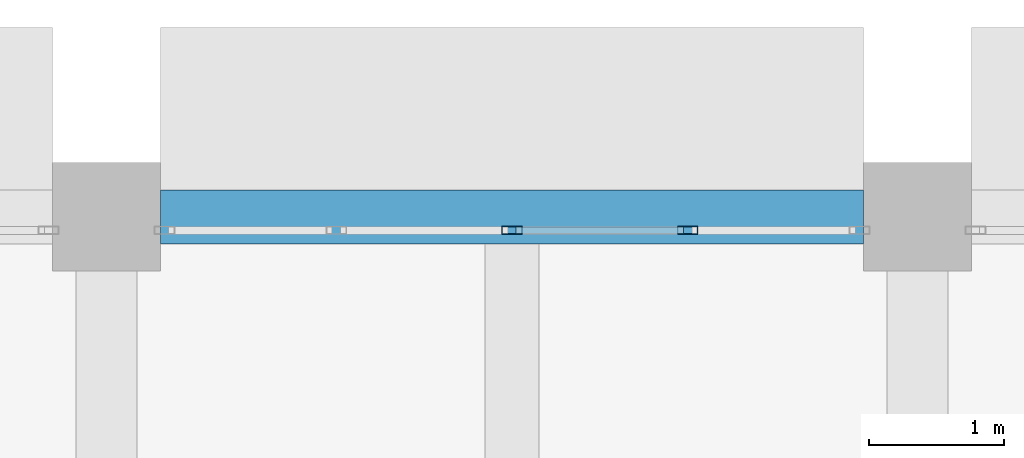
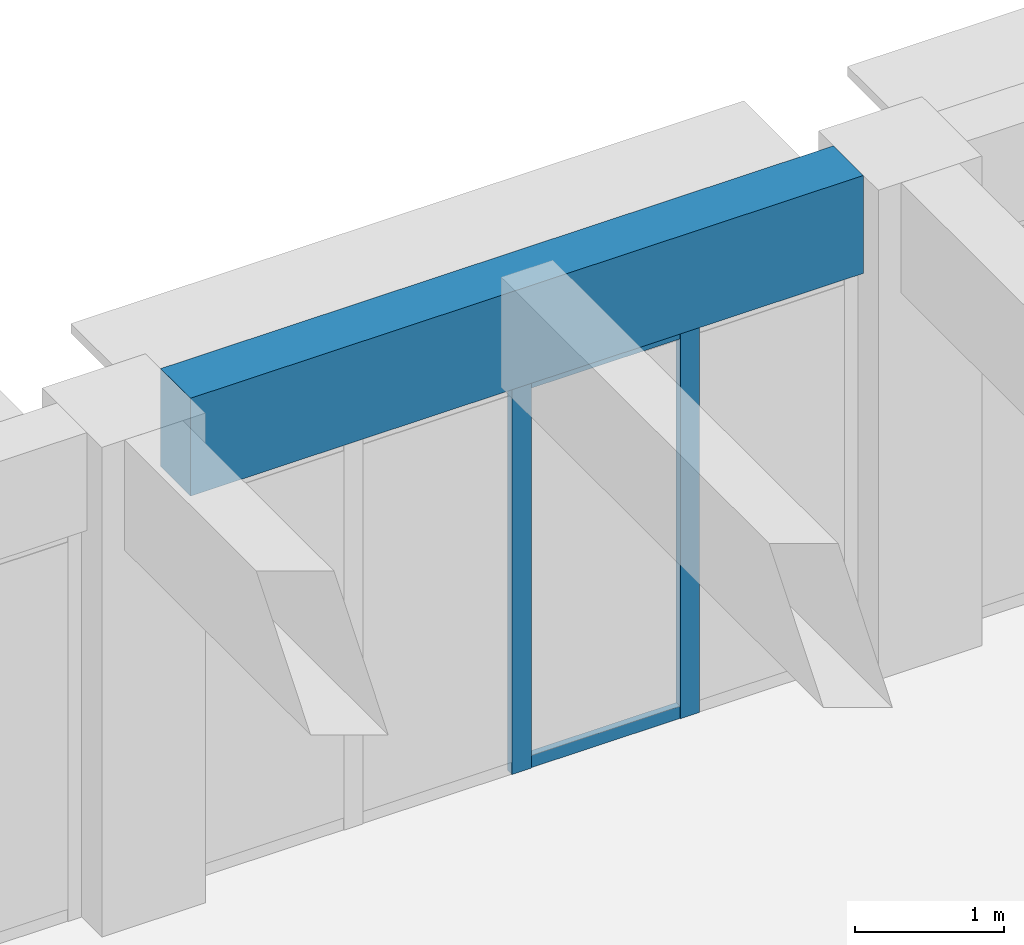
# One storey, part 28 of 101: 4 members, 1 beam, 1 element without a shape of its own.
"""IFC4 building model written with IfcOpenShell, lengths in metres."""

from ifc_helpers import new_model, si_unit, direction, frame, origin, origin_2d, place, context, subcontext, project, spatial, rectangle, hollow_rectangle, extrude, material, material_profile, profile_set, type_object, element, aggregate, save


model = new_model("IFC4")

# Units and contexts
model_context = context("Model", 3, precision=1e-05, world=origin(), true_north=direction((0.0, 1.0)))
body_context = subcontext(model_context, "Body", "Model", "MODEL_VIEW")
ifc_project = project(units=[si_unit("LENGTHUNIT", "METRE"), si_unit("AREAUNIT", "SQUARE_METRE"), si_unit("VOLUMEUNIT", "CUBIC_METRE"), si_unit("PLANEANGLEUNIT", "RADIAN"), si_unit("MASSUNIT", "GRAM", prefix="KILO")], contexts=[model_context])

# Site, building, storey
site_placement = place(None, origin())
site = spatial("IfcSite", under=ifc_project, at=site_placement, CompositionType="ELEMENT")
building_placement = place(site_placement, origin())
building = spatial("IfcBuilding", under=site, at=building_placement, Name="Laocheng Heights Fire and Rescue Headquarters", CompositionType="ELEMENT")
storey_placement = place(building_placement, frame((0.0, 0.0, 8.39990234375)))
storey = spatial("IfcBuildingStorey", under=building, at=storey_placement, Name="L02", CompositionType="ELEMENT", Elevation=8.39990234375)

# Curtain wall, members
ifc_material_1 = material(Name="Aluminium unitised curtain wall, low-e double glazing", Category="aluminium")
curtain_wall_type = type_object("IfcCurtainWallType", Name="CW 5200 x 3200 GALLERY UNIT", PredefinedType="NOTDEFINED", material=ifc_material_1)
curtain_wall_placement = place(storey_placement, origin())
curtain_wall = element("IfcCurtainWall", 1, at=curtain_wall_placement, inside=storey, type_object=curtain_wall_type, Name="Gallery north glazing L02", PredefinedType="NOTDEFINED")
ifc_material_2 = material(Name="Aluminium 6063-T5 extrusion", Category="aluminium")
ifc_material_profile_1 = material_profile(ifc_material_2, hollow_rectangle(XDim=0.06005859375, YDim=0.14990234375, WallThickness=0.0029296875, at=origin_2d()), Name="AL MULLION 150x60x3")
ifc_profile_set_1 = profile_set([ifc_material_profile_1], Name="Aluminium 6063-T5 extrusion")
member_type_1 = type_object("IfcMemberType", Name="AL CURTAIN WALL MULLION 150x60x3", PredefinedType="MULLION", material=ifc_profile_set_1)
member_1_placement = place(storey_placement, frame((45.0, 28.699951171875, 0.0), z_axis=(0.0, 0.0, 1.0), x_axis=(0.0, 1.0, 0.0)))
member_1 = element("IfcMember", 2, at=member_1_placement, type_object=member_type_1, Name="X4-E mullion 3", PredefinedType="MULLION", context=body_context, shape_type="SweptSolid", body=[
    extrude(hollow_rectangle(XDim=0.06005859375, YDim=0.14990234375, WallThickness=0.0029296875, at=origin_2d()), origin(), (0.0, 0.0, 1.0), 3.2001953125),
])
member_2_placement = place(storey_placement, frame((46.300048828125, 28.699951171875, 0.0), z_axis=(0.0, 0.0, 1.0), x_axis=(0.0, 1.0, 0.0)))
member_2 = element("IfcMember", 3, at=member_2_placement, type_object=member_type_1, Name="X4-E mullion 4", PredefinedType="MULLION", context=body_context, shape_type="SweptSolid", body=[
    extrude(hollow_rectangle(XDim=0.06005859375, YDim=0.14990234375, WallThickness=0.0029296875, at=origin_2d()), origin(), (0.0, 0.0, 1.0), 3.2001953125),
])
ifc_material_3 = material(Name="Aluminium 6063-T5 extrusion", Category="aluminium")
ifc_material_profile_2 = material_profile(ifc_material_3, hollow_rectangle(XDim=0.050048828125, YDim=0.10009765625, WallThickness=0.0029296875, at=origin_2d()), Name="AL TRANSOM 100x50x3")
ifc_profile_set_2 = profile_set([ifc_material_profile_2], Name="Aluminium 6063-T5 extrusion")
member_type_2 = type_object("IfcMemberType", Name="AL CURTAIN WALL TRANSOM 100x50x3", PredefinedType="USERDEFINED", material=ifc_profile_set_2)
member_3_placement = place(storey_placement, frame((45.030029296875, 28.699951171875, 0.050048828125), z_axis=(1.0, 0.0, 0.0), x_axis=(0.0, 1.0, 0.0)))
member_3 = element("IfcMember", 4, at=member_3_placement, type_object=member_type_2, Name="X4-E transom 3.1", ObjectType="TRANSOM", PredefinedType="USERDEFINED", context=body_context, shape_type="SweptSolid", body=[
    extrude(hollow_rectangle(XDim=0.050048828125, YDim=0.10009765625, WallThickness=0.0029296875, at=origin_2d()), origin(), (0.0, 0.0, 1.0), 1.239990234375),
])
member_4_placement = place(storey_placement, frame((45.030029296875, 28.699951171875, 3.150146484375), z_axis=(1.0, 0.0, 0.0), x_axis=(0.0, 1.0, 0.0)))
member_4 = element("IfcMember", 5, at=member_4_placement, type_object=member_type_2, Name="X4-E transom 3.2", ObjectType="TRANSOM", PredefinedType="USERDEFINED", context=body_context, shape_type="SweptSolid", body=[
    extrude(hollow_rectangle(XDim=0.050048828125, YDim=0.10009765625, WallThickness=0.0029296875, at=origin_2d()), origin(), (0.0, 0.0, 1.0), 1.239990234375),
])
aggregate(curtain_wall, [member_1, member_2, member_3, member_4])

# Beam
ifc_material_4 = material(Name="Concrete C40", Category="concrete")
ifc_material_profile_3 = material_profile(ifc_material_4, rectangle(XDim=0.39990234375, YDim=0.800048828125, at=origin_2d()), Name="RC BEAM 400x800 GALLERY FLOOR")
ifc_profile_set_3 = profile_set([ifc_material_profile_3], Name="Concrete C40")
beam_type = type_object("IfcBeamType", Name="RC BEAM 400x800 GALLERY FLOOR", PredefinedType="BEAM", material=ifc_profile_set_3)
beam_placement = place(storey_placement, frame((42.39990234375, 28.800048828125, 3.60009765625), z_axis=(1.0, 0.0, 0.0), x_axis=(0.0, 1.0, 0.0)))
element("IfcBeam", 6, at=beam_placement, inside=storey, type_object=beam_type, Name="Gallery floor beam", PredefinedType="BEAM", context=body_context, shape_type="SweptSolid", body=[
    extrude(rectangle(XDim=0.39990234375, YDim=0.800048828125, at=origin_2d()), origin(), (0.0, 0.0, 1.0), 5.2001953125),
])

save(model, "model.ifc")
